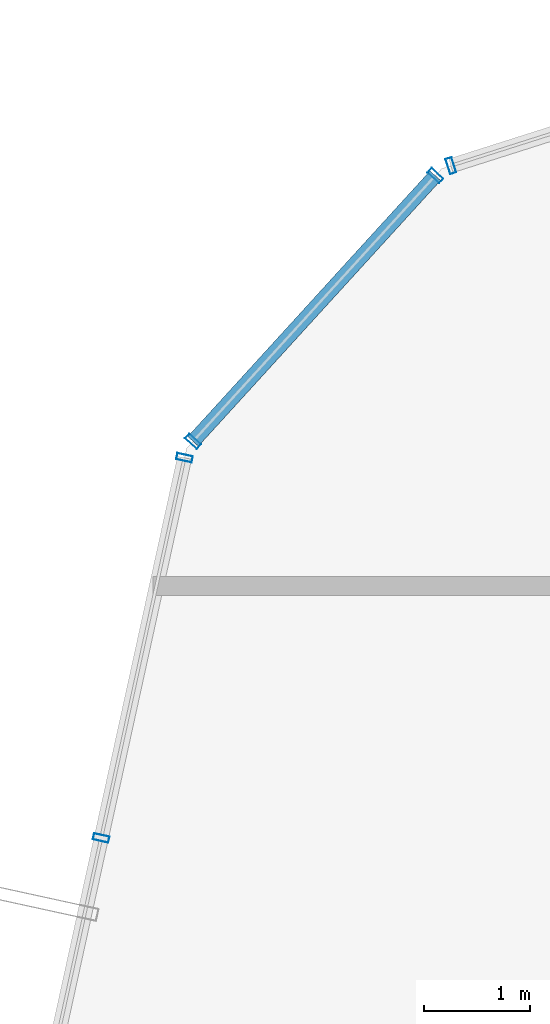
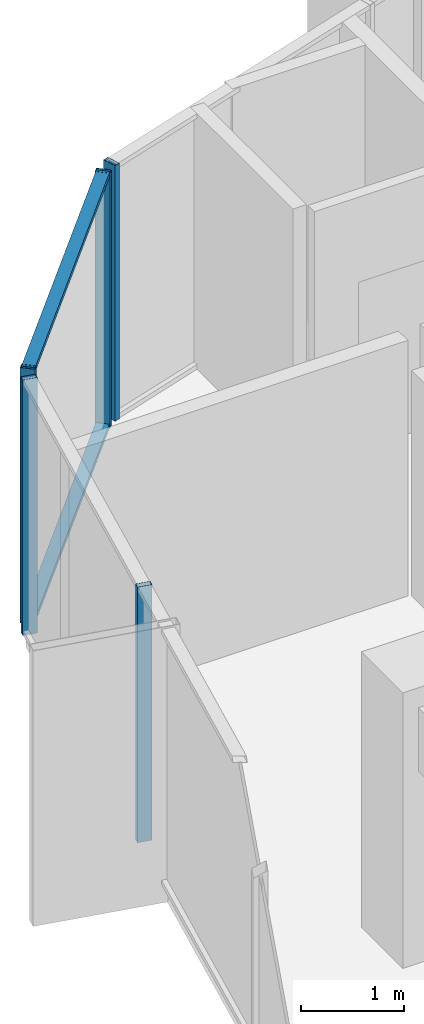
# One storey, part 13 of 28: 7 members, 3 elements without a shape of their own.
"""IFC4 building model written with IfcOpenShell, lengths in metres."""

from ifc_helpers import new_model, si_unit, direction, frame, origin, origin_2d, place, context, subcontext, project, spatial, hollow_rectangle, extrude, source, transform, mapped, material, layer, layer_set, material_profile, profile_set, type_object, element, aggregate, save


model = new_model("IFC4")

# Units and contexts
model_context = context("Model", 3, precision=1e-05, world=origin(), true_north=direction((0.0, 1.0)))
body_context = subcontext(model_context, "Body", "Model", "MODEL_VIEW")
ifc_project = project(units=[si_unit("LENGTHUNIT", "METRE"), si_unit("AREAUNIT", "SQUARE_METRE"), si_unit("VOLUMEUNIT", "CUBIC_METRE"), si_unit("PLANEANGLEUNIT", "RADIAN"), si_unit("MASSUNIT", "GRAM", prefix="KILO")], contexts=[model_context])

# Site, building, storey
site_placement = place(None, origin())
site = spatial("IfcSite", under=ifc_project, at=site_placement, CompositionType="ELEMENT")
building_placement = place(site_placement, origin())
building = spatial("IfcBuilding", under=site, at=building_placement, Name="Veraguas Prism Commons", CompositionType="ELEMENT")
storey_placement = place(building_placement, frame((0.0, 0.0, 251.25)))
storey = spatial("IfcBuildingStorey", under=building, at=storey_placement, Name="L71", CompositionType="ELEMENT", Elevation=251.25)

# Curtain wall, member
ifc_material = material(Name="Anodised aluminium EN AW-6063 T6", Category="aluminium")
ifc_layer = layer(ifc_material, 0.14990234375, Name="Unitised Flush Curtain Wall Zone 4", Category="aluminium")
ifc_layer_set = layer_set([ifc_layer], Name="Anodised aluminium EN AW-6063 T6")
curtain_wall_type = type_object("IfcCurtainWallType", Name="Unitised Flush Curtain Wall Zone 4", PredefinedType="NOTDEFINED", material=ifc_layer_set)
curtain_wall_1_placement = place(storey_placement, origin())
curtain_wall_1 = element("IfcCurtainWall", 1, at=curtain_wall_1_placement, inside=storey, type_object=curtain_wall_type, Name="Tower Facade Curtain Wall L71-F2", PredefinedType="NOTDEFINED")
ifc_material_profile_1 = material_profile(ifc_material, hollow_rectangle(XDim=0.06005859375, YDim=0.14990234375, WallThickness=0.0029296875, at=origin_2d()), Name="AL60X150X3")
ifc_profile_set_1 = profile_set([ifc_material_profile_1], Name="Anodised aluminium EN AW-6063 T6")
member_type_1 = type_object("IfcMemberType", Name="Curtain Wall Mullion Upper AL 60x150x3", PredefinedType="MULLION", material=ifc_profile_set_1)
shared_shape_1 = source(origin(), body_context, "Body", "SweptSolid", [
    extrude(hollow_rectangle(XDim=0.06005859375, YDim=0.14990234375, WallThickness=0.0029296875, at=origin_2d()), origin(), (0.0, 0.0, 1.0), 3.014892578125),
])
member_1_placement = place(storey_placement, frame((12.00634765625, 37.452392578125, 0.0), z_axis=(0.0, 0.0, 1.0), x_axis=(-0.952979870412, -0.30303360637, 0.0)))
member_1 = element("IfcMember", 2, at=member_1_placement, type_object=member_type_1, Name="CW-Z4 Mullion 5", PredefinedType="MULLION", context=body_context, shape_type="MappedRepresentation", body=[
    mapped(shared_shape_1, transform((0.0, 0.0, 0.0), scale=1.0)),
])
aggregate(curtain_wall_1, [member_1])

# Curtain wall, members
curtain_wall_2_placement = place(storey_placement, origin())
curtain_wall_2 = element("IfcCurtainWall", 3, at=curtain_wall_2_placement, inside=storey, type_object=curtain_wall_type, Name="Tower Facade Curtain Wall L71-F3", PredefinedType="NOTDEFINED")
member_2_placement = place(storey_placement, frame((9.5009765625, 34.704833984375, 0.0), z_axis=(0.0, 0.0, 1.0), x_axis=(-0.214053429014, -0.976821953852, 0.0)))
member_2 = element("IfcMember", 4, at=member_2_placement, type_object=member_type_1, Name="CW-Z4 Mullion 1", PredefinedType="MULLION", context=body_context, shape_type="MappedRepresentation", body=[
    mapped(shared_shape_1, transform((0.0, 0.0, 0.0), scale=1.0)),
])
member_3_placement = place(storey_placement, frame((8.717041015625, 31.128173828125, 0.0), z_axis=(0.0, 0.0, 1.0), x_axis=(-0.214053429014, -0.976821953852, 0.0)))
member_3 = element("IfcMember", 5, at=member_3_placement, type_object=member_type_1, Name="CW-Z4 Mullion 2", PredefinedType="MULLION", context=body_context, shape_type="MappedRepresentation", body=[
    mapped(shared_shape_1, transform((0.0, 0.0, 0.0), scale=1.0)),
])
aggregate(curtain_wall_2, [member_2, member_3])

curtain_wall_3_placement = place(storey_placement, origin())
curtain_wall_3 = element("IfcCurtainWall", 6, at=curtain_wall_3_placement, inside=storey, type_object=curtain_wall_type, Name="Chamfer Curtain Wall L71-C3", PredefinedType="NOTDEFINED")
member_4_placement = place(storey_placement, frame((11.85986328125, 37.358642578125, 0.0), z_axis=(0.0, 0.0, 1.0), x_axis=(-0.673794422196, -0.738918856585, 0.0)))
member_4 = element("IfcMember", 7, at=member_4_placement, type_object=member_type_1, Name="CW-Z4 Mullion 1", PredefinedType="MULLION", context=body_context, shape_type="MappedRepresentation", body=[
    mapped(shared_shape_1, transform((0.0, 0.0, 0.0), scale=1.0)),
])
member_5_placement = place(storey_placement, frame((9.580810546875, 34.859375, 0.0), z_axis=(0.0, 0.0, 1.0), x_axis=(-0.673794422196, -0.738918856585, 0.0)))
member_5 = element("IfcMember", 8, at=member_5_placement, type_object=member_type_1, Name="CW-Z4 Mullion 2", PredefinedType="MULLION", context=body_context, shape_type="MappedRepresentation", body=[
    mapped(shared_shape_1, transform((0.0, 0.0, 0.0), scale=1.0)),
])
ifc_material_profile_2 = material_profile(ifc_material, hollow_rectangle(XDim=0.054931640625, YDim=0.135009765625, WallThickness=0.0029296875, at=origin_2d()), Name="AL55X135X3")
ifc_profile_set_2 = profile_set([ifc_material_profile_2], Name="Anodised aluminium EN AW-6063 T6")
member_type_2 = type_object("IfcMemberType", Name="Curtain Wall Transom Standard AL 55x135x3", PredefinedType="USERDEFINED", material=ifc_profile_set_2)
shared_shape_2 = source(origin(), body_context, "Body", "SweptSolid", [
    extrude(hollow_rectangle(XDim=0.054931640625, YDim=0.135009765625, WallThickness=0.0029296875, at=origin_2d()), origin(), (0.0, 0.0, 1.0), 3.38232421875),
])
member_6_placement = place(storey_placement, frame((11.85986328125, 37.358642578125, 0.027587890625), z_axis=(-0.673803703906, -0.73891039281, 0.0), x_axis=(0.0, 0.0, 1.0)))
member_6 = element("IfcMember", 9, at=member_6_placement, type_object=member_type_2, Name="CW-Z4 Transom 1", ObjectType="TRANSOM", PredefinedType="USERDEFINED", context=body_context, shape_type="MappedRepresentation", body=[
    mapped(shared_shape_2, transform((0.0, 0.0, 0.0), scale=1.0)),
])
member_7_placement = place(storey_placement, frame((11.85986328125, 37.358642578125, 2.987548828125), z_axis=(-0.673803703906, -0.73891039281, 0.0), x_axis=(0.0, 0.0, 1.0)))
member_7 = element("IfcMember", 10, at=member_7_placement, type_object=member_type_2, Name="CW-Z4 Transom 2", ObjectType="TRANSOM", PredefinedType="USERDEFINED", context=body_context, shape_type="MappedRepresentation", body=[
    mapped(shared_shape_2, transform((0.0, 0.0, 0.0), scale=1.0)),
])
aggregate(curtain_wall_3, [member_4, member_5, member_6, member_7])

save(model, "model.ifc")
